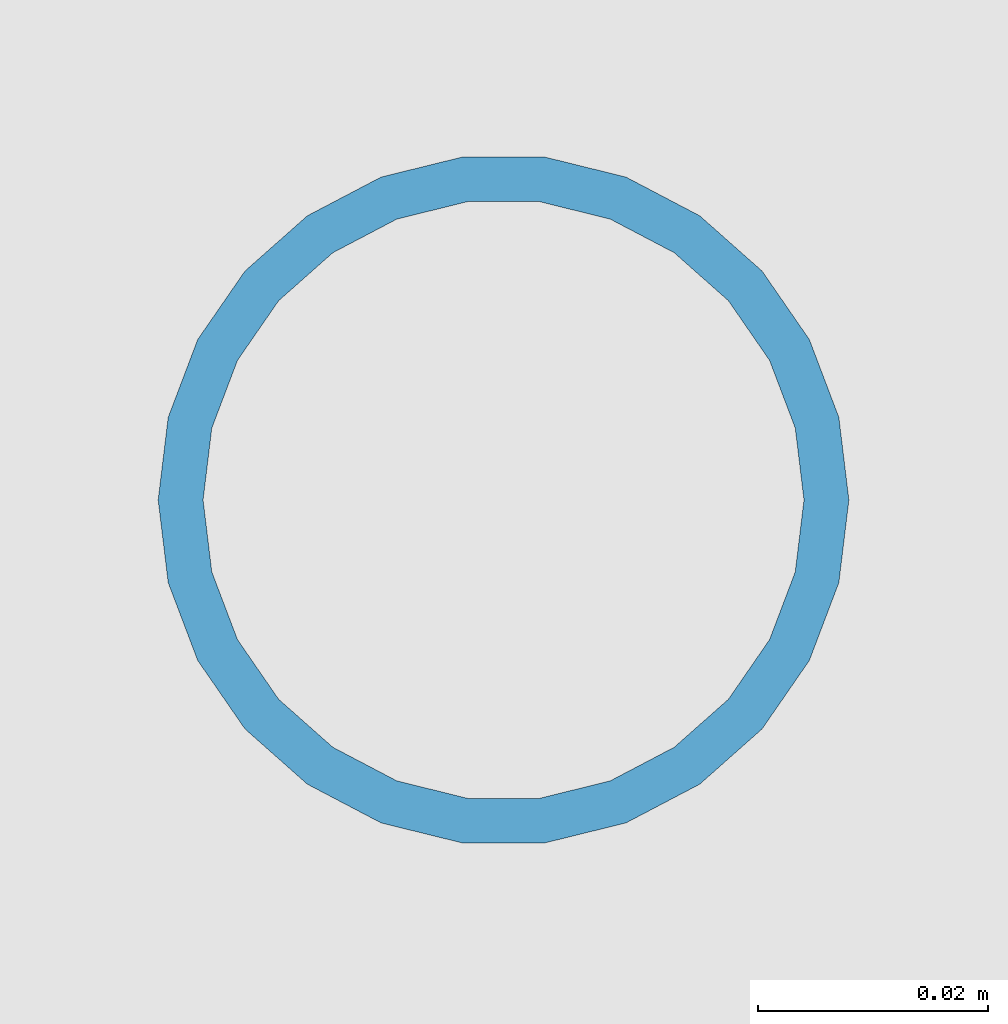
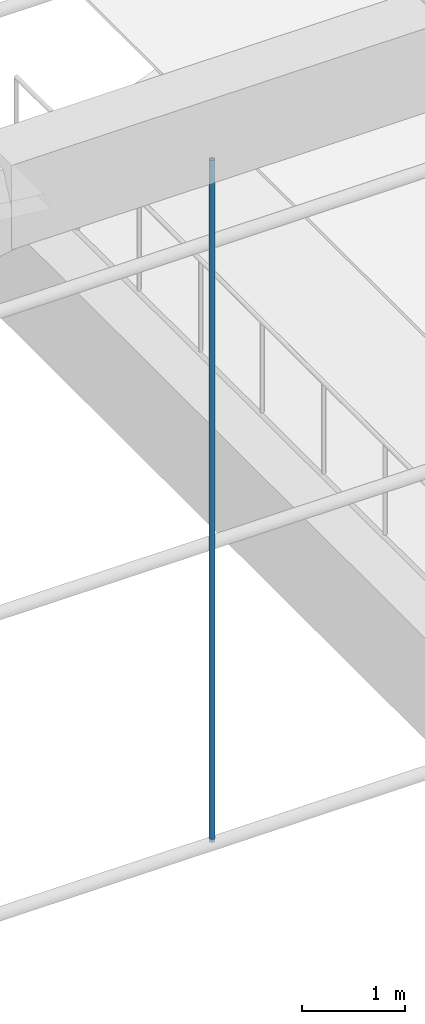
# One storey, part 21 of 94: 1 member.
"""IFC4 building model written with IfcOpenShell, lengths in metres."""

import ifcopenshell
import ifcopenshell.guid

model = None  # the IFC model being written
_history = None  # IfcOwnerHistory: only IFC2X3 demands one
_inside = {}  # id of a spatial element -> (the spatial element, [elements in it])
_under = {}  # id of a project, library or spatial element -> (it, [spatial elements below it])
_declared = {}  # id of a project -> (the project, [libraries it declares])
_typed = {}  # id of a type object -> (the type object, [elements of that type])
_made_of = {}  # id of a material, layer set ... -> (it, [elements and type objects made of it])


def new_model(schema):
    """Start an empty IFC model of exactly this schema.

    Asked for "IFC4X3", IfcOpenShell would pick the latest addendum, in which some entities
    have other attributes; the version numbers below select the first issue.
    IFC2X3 requires an IfcOwnerHistory on every rooted entity: one is made here for all.
    """
    global model, _history
    if schema == "IFC4X3":
        model = ifcopenshell.file(schema_version=(4, 3, 0, 0))
    else:
        model = ifcopenshell.file(schema=schema)
    _inside.clear()
    _under.clear()
    _declared.clear()
    _typed.clear()
    _made_of.clear()
    _history = None
    if model.schema == "IFC2X3":
        org = make("IfcOrganization", Name="unknown")
        user = make(
            "IfcPersonAndOrganization",
            ThePerson=make("IfcPerson", FamilyName="unknown"),
            TheOrganization=org,
        )
        app = make(
            "IfcApplication",
            ApplicationDeveloper=org,
            Version="unknown",
            ApplicationFullName="unknown",
            ApplicationIdentifier="unknown",
        )
        _history = make(
            "IfcOwnerHistory",
            OwningUser=user,
            OwningApplication=app,
            ChangeAction="ADDED",
            CreationDate=0,
        )
    return model


def make(cls, **values):
    """One entity of the class cls with the attributes given. An attribute that is None is left unset."""
    return model.create_entity(
        cls, **{name: value for name, value in values.items() if value is not None}
    )


def rooted(cls, **values):
    """An entity with a GlobalId (a new one), such as an element, a storey or a relation."""
    return make(cls, GlobalId=ifcopenshell.guid.new(), OwnerHistory=_history, **values)


def si_unit(unit_type, name, prefix=None):
    """IfcSIUnit, for example si_unit("LENGTHUNIT", "METRE", prefix="MILLI")."""
    return make("IfcSIUnit", UnitType=unit_type, Prefix=prefix, Name=name)


def assignment(units):
    """IfcUnitAssignment: the units of a project."""
    return None if units is None else make("IfcUnitAssignment", Units=units)


def point(xyz):
    """IfcCartesianPoint."""
    return None if xyz is None else make("IfcCartesianPoint", Coordinates=xyz)


def direction(xyz):
    """IfcDirection."""
    return None if xyz is None else make("IfcDirection", DirectionRatios=xyz)


def frame(location, z_axis=None, x_axis=None):
    """IfcAxis2Placement3D, a coordinate frame: its origin and axes. An axis left out is left unset."""
    return make(
        "IfcAxis2Placement3D",
        Location=point(location),
        Axis=direction(z_axis),
        RefDirection=direction(x_axis),
    )


def frame_2d(location, x_axis=None):
    """IfcAxis2Placement2D, a coordinate frame in the plane: its origin and x axis."""
    return make(
        "IfcAxis2Placement2D", Location=point(location), RefDirection=direction(x_axis)
    )


def origin():
    """The frame at (0, 0, 0) with its axes left unset."""
    return frame((0.0, 0.0, 0.0))


def origin_2d():
    """The frame at (0, 0) in the plane with its x axis left unset."""
    return frame_2d((0.0, 0.0))


def place(relative_to, where):
    """IfcLocalPlacement: puts the frame where relative to a parent placement (None: the world)."""
    return make(
        "IfcLocalPlacement", PlacementRelTo=relative_to, RelativePlacement=where
    )


def context(
    kind, dimensions, precision=None, world=None, true_north=None, identifier=None
):
    """IfcGeometricRepresentationContext, for example the 3D "Model" context."""
    return make(
        "IfcGeometricRepresentationContext",
        ContextIdentifier=identifier,
        ContextType=kind,
        CoordinateSpaceDimension=dimensions,
        Precision=precision,
        WorldCoordinateSystem=world,
        TrueNorth=true_north,
    )


def subcontext(parent, identifier, kind, view, scale=None):
    """IfcGeometricRepresentationSubContext, for example "Body" below "Model"."""
    return make(
        "IfcGeometricRepresentationSubContext",
        ContextIdentifier=identifier,
        ContextType=kind,
        ParentContext=parent,
        TargetScale=scale,
        TargetView=view,
    )


def project(units=None, contexts=None):
    """IfcProject with its units and contexts."""
    return rooted(
        "IfcProject",
        Name="project",
        RepresentationContexts=contexts,
        UnitsInContext=assignment(units),
    )


def spatial(cls, under=None, at=None, **own):
    """A site, building, storey or space (cls), placed at a placement, below another one or the project."""
    s = rooted(cls, ObjectPlacement=at, **own)
    if under is not None:
        _under.setdefault(under.id(), (under, []))[1].append(s)
    return s


def profile(cls, at=None, kind="AREA", **sizes):
    """A parametric profile (cls). Its sizes go by their IFC names, for example OverallWidth=200.0."""
    return make(cls, ProfileType=kind, Position=at, **sizes)


def hollow_circle(**sizes):
    """IfcCircleHollowProfileDef."""
    return profile("IfcCircleHollowProfileDef", **sizes)


def extrude(swept, where, along, depth):
    """IfcExtrudedAreaSolid: the profile swept, set in the frame where, extruded along a direction by depth."""
    return make(
        "IfcExtrudedAreaSolid",
        SweptArea=swept,
        Position=where,
        ExtrudedDirection=direction(along),
        Depth=depth,
    )


def shape(context_of_items, identifier, shape_type, items):
    """IfcShapeRepresentation: the items that make up one representation, for example the "Body"."""
    return make(
        "IfcShapeRepresentation",
        ContextOfItems=context_of_items,
        RepresentationIdentifier=identifier,
        RepresentationType=shape_type,
        Items=items,
    )


def material(Name=None, Category=None):
    """IfcMaterial."""
    return make("IfcMaterial", Name=Name, Category=Category)


def material_profile(
    of_material, cross_section, Name=None, Category=None, Priority=None
):
    """IfcMaterialProfile: a cross section and its material."""
    return make(
        "IfcMaterialProfile",
        Name=Name,
        Material=of_material,
        Profile=cross_section,
        Priority=Priority,
        Category=Category,
    )


def profile_set(profiles, Name=None, composite=None):
    """IfcMaterialProfileSet."""
    return make(
        "IfcMaterialProfileSet",
        Name=Name,
        MaterialProfiles=profiles,
        CompositeProfile=composite,
    )


def made_of(thing, what):
    """Note that an element or type object is made of a material, layer set ...; save() writes the relation."""
    if what is not None:
        _made_of.setdefault(what.id(), (what, []))[1].append(thing)
    return thing


def type_object(cls, material=None, **own):
    """A type object (cls), such as IfcWallType, which elements share."""
    return made_of(rooted(cls, **own), material)


def element(
    cls,
    number,
    at=None,
    inside=None,
    cuts=None,
    type_object=None,
    material=None,
    context=None,
    identifier="Body",
    shape_type=None,
    held_by="IfcProductDefinitionShape",
    body=None,
    shapes=None,
    **own,
):
    """One element of the class cls, such as IfcWall. Its Tag is "e" and its number.

    at: its placement. inside: the storey or other place that contains it. cuts: it is an
    opening in that element (IfcRelVoidsElement). A single representation is given by context,
    identifier, shape_type and body (its items); several are given by shapes. held_by: the class
    of the entity that holds the representations. save() writes the other relations.
    """
    e = rooted(cls, Tag="e%d" % number, ObjectPlacement=at, **own)
    if body is not None:
        shapes = [shape(context, identifier, shape_type, body)]
    if shapes is not None:
        e.Representation = make(held_by, Representations=shapes)
    if inside is not None:
        _inside.setdefault(inside.id(), (inside, []))[1].append(e)
    if cuts is not None:
        rooted(
            "IfcRelVoidsElement", RelatingBuildingElement=cuts, RelatedOpeningElement=e
        )
    if type_object is not None:
        _typed.setdefault(type_object.id(), (type_object, []))[1].append(e)
    return made_of(e, material)


def aggregate(whole, parts):
    """IfcRelAggregates: a whole, such as a stair, and the parts it consists of."""
    return rooted("IfcRelAggregates", RelatingObject=whole, RelatedObjects=parts)


def save(model, path):
    """Write the relations noted so far, then the file.

    IfcRelAggregates (storeys below a building ...), IfcRelContainedInSpatialStructure (elements
    in a storey), IfcRelDefinesByType, IfcRelAssociatesMaterial and IfcRelDeclares: one each for
    every whole, place, type object, material and project.
    """
    for whole, parts in _under.values():
        aggregate(whole, parts)
    for where, things in _inside.values():
        rooted(
            "IfcRelContainedInSpatialStructure",
            RelatedElements=things,
            RelatingStructure=where,
        )
    for kind, things in _typed.values():
        rooted("IfcRelDefinesByType", RelatedObjects=things, RelatingType=kind)
    for what, things in _made_of.values():
        rooted("IfcRelAssociatesMaterial", RelatedObjects=things, RelatingMaterial=what)
    for by, libraries in _declared.values():
        rooted("IfcRelDeclares", RelatingContext=by, RelatedDefinitions=libraries)
    model.write(path)


model = new_model("IFC4")

# Units and contexts
model_context = context("Model", 3, precision=1e-05, world=origin(), true_north=direction((0.0, 1.0)))
body_context = subcontext(model_context, "Body", "Model", "MODEL_VIEW")
ifc_project = project(units=[si_unit("LENGTHUNIT", "METRE"), si_unit("AREAUNIT", "SQUARE_METRE"), si_unit("VOLUMEUNIT", "CUBIC_METRE"), si_unit("PLANEANGLEUNIT", "RADIAN"), si_unit("MASSUNIT", "GRAM", prefix="KILO")], contexts=[model_context])

# Site, building, storey
site_placement = place(None, origin())
site = spatial("IfcSite", under=ifc_project, at=site_placement, CompositionType="ELEMENT")
building_placement = place(site_placement, origin())
building = spatial("IfcBuilding", under=site, at=building_placement, Name="Lunette Opera House", CompositionType="ELEMENT")
storey_placement = place(building_placement, frame((0.0, 0.0, 22.5)))
storey = spatial("IfcBuildingStorey", under=building, at=storey_placement, Name="L04", CompositionType="ELEMENT", Elevation=22.5)

# Member
ifc_material = material(Name="Steel S355", Category="steel")
ifc_material_profile = material_profile(ifc_material, hollow_circle(Radius=0.030029296875, WallThickness=0.00390625, at=origin_2d()), Name="CHS 60.3X4")
ifc_profile_set = profile_set([ifc_material_profile], Name="Steel S355")
member_type = type_object("IfcMemberType", Name="CHS 60.3X4", PredefinedType="POST", material=ifc_profile_set)
member_placement = place(storey_placement, frame((96.0, 77.54296875, 2.72998046875), z_axis=(0.0, 0.0, 1.0), x_axis=(1.0, 0.0, 0.0)))
element("IfcMember", 1, at=member_placement, inside=storey, type_object=member_type, Name="mem-AU-L04-HG4-96", PredefinedType="POST", context=body_context, shape_type="SweptSolid", body=[
    extrude(hollow_circle(Radius=0.030029296875, WallThickness=0.00390625, at=origin_2d()), origin(), (0.0, 0.0, 1.0), 8.08203125),
])

save(model, "model.ifc")
